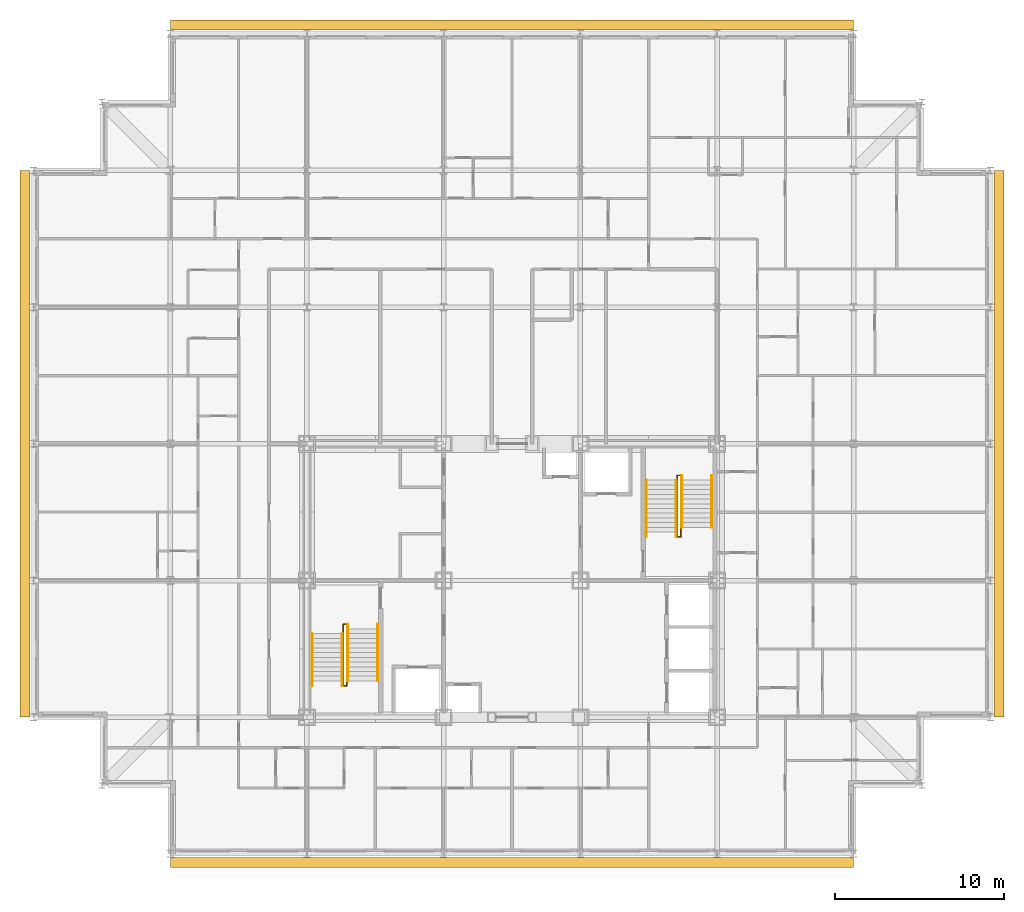
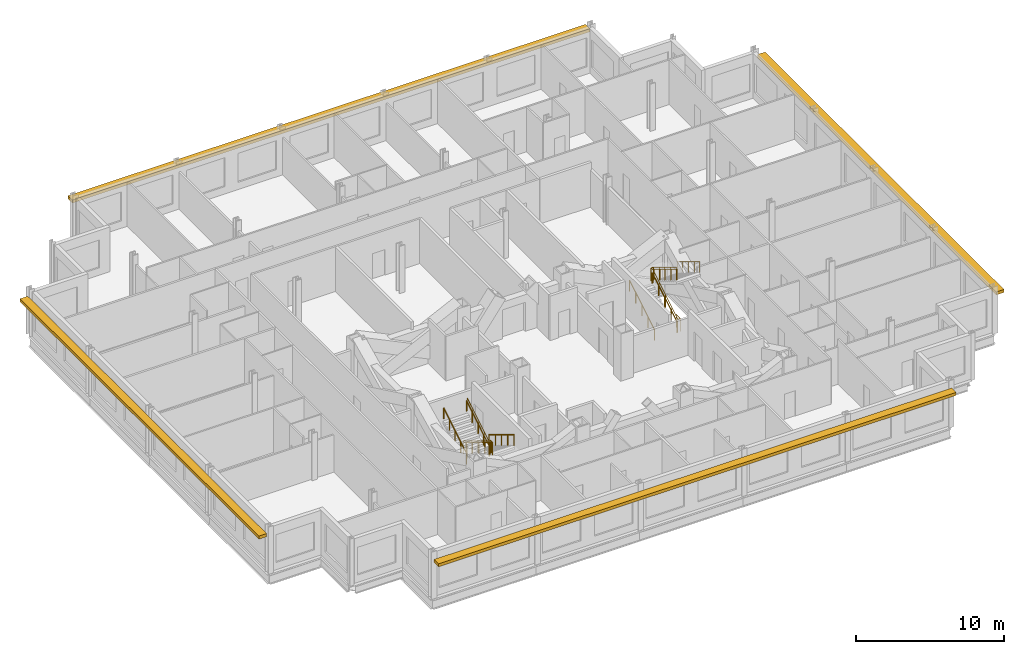
# One storey, part 15 of 15: 10 railings, 4 shading devices.
"""IFC4 building model written with IfcOpenShell, lengths in metres."""

from ifc_helpers import new_model, si_unit, direction, frame, origin, origin_2d, place, context, subcontext, project, spatial, rectangle, circle, extrude, material, type_object, element, save


model = new_model("IFC4")

# Units and contexts
model_context = context("Model", 3, precision=1e-05, world=origin(), true_north=direction((0.0, 1.0)))
body_context = subcontext(model_context, "Body", "Model", "MODEL_VIEW")
ifc_project = project(units=[si_unit("LENGTHUNIT", "METRE"), si_unit("AREAUNIT", "SQUARE_METRE"), si_unit("VOLUMEUNIT", "CUBIC_METRE"), si_unit("PLANEANGLEUNIT", "RADIAN"), si_unit("MASSUNIT", "GRAM", prefix="KILO")], contexts=[model_context])

# Site, building, storey
site_placement = place(None, origin())
site = spatial("IfcSite", under=ifc_project, at=site_placement, CompositionType="ELEMENT")
building_placement = place(site_placement, origin())
building = spatial("IfcBuilding", under=site, at=building_placement, Name="Kopane Lantern Tower", CompositionType="ELEMENT")
storey_placement = place(building_placement, frame((0.0, 0.0, 246.300048828125)))
storey = spatial("IfcBuildingStorey", under=building, at=storey_placement, Name="L63", CompositionType="ELEMENT", Elevation=246.300048828125)

# Railings
ifc_material_1 = material(Name="Steel", Category="steel")
railing_type_1 = type_object("IfcRailingType", Name="STAIR GUARD 1100", PredefinedType="GUARDRAIL", material=ifc_material_1)
railing_1_placement = place(storey_placement, frame((18.35009765625, 29.25, 0.0)))
element("IfcRailing", 1, at=railing_1_placement, inside=storey, type_object=railing_type_1, Name="ST1 well guard L63", PredefinedType="GUARDRAIL", context=body_context, shape_type="SweptSolid", body=[
    extrude(circle(Radius=0.02392578125, at=origin_2d()), frame((0.0, 0.0, 1.076171875), z_axis=(0.0, 1.0, 0.0), x_axis=(-1.0, 0.0, 0.0)), (0.0, 0.0, 1.0), 0.56005859375),
    extrude(circle(Radius=0.02392578125, at=origin_2d()), frame((0.0, 0.56005859375, 1.076171875), z_axis=(1.0, 0.0, 0.0), x_axis=(0.0, 1.0, 0.0)), (0.0, 0.0, 1.0), 0.199951171875),
    extrude(circle(Radius=0.02392578125, at=origin_2d()), frame((0.199951171875, 0.56005859375, 1.076171875), z_axis=(0.0, -0.85539645441, 0.517973846621), x_axis=(1.0, 0.0, 0.0)), (0.0, 0.0, 1.0), 3.92822265625),
    extrude(circle(Radius=0.02392578125, at=origin_2d()), frame((0.199951171875, -2.800048828125, 3.11083984375), z_axis=(0.0, -1.0, 0.0), x_axis=(1.0, 0.0, 0.0)), (0.0, 0.0, 1.0), 0.280029296875),
    extrude(circle(Radius=0.02392578125, at=origin_2d()), frame((0.199951171875, -3.080078125, 3.11083984375), z_axis=(-1.0, 0.0, 0.0), x_axis=(0.0, -1.0, 0.0)), (0.0, 0.0, 1.0), 0.199951171875),
    extrude(circle(Radius=0.02392578125, at=origin_2d()), frame((0.0, -3.080078125, 3.11083984375), z_axis=(0.0, 0.855379917629, 0.518001154937), x_axis=(-1.0, 0.0, 0.0)), (0.0, 0.0, 1.0), 3.600830078125),
    extrude(circle(Radius=0.02099609375, at=origin_2d()), origin(), (0.0, 0.0, 1.0), 1.052001953125),
    extrude(circle(Radius=0.02099609375, at=origin_2d()), frame((0.0, 0.56005859375, 0.0)), (0.0, 0.0, 1.0), 1.052001953125),
    extrude(circle(Radius=0.02099609375, at=origin_2d()), frame((0.199951171875, 0.56005859375, 0.0)), (0.0, 0.0, 1.0), 1.052001953125),
    extrude(circle(Radius=0.02099609375, at=origin_2d()), frame((0.199951171875, -0.280029296875, 0.5087890625)), (0.0, 0.0, 1.0), 1.052001953125),
    extrude(circle(Radius=0.02099609375, at=origin_2d()), frame((0.199951171875, -1.1201171875, 1.017333984375)), (0.0, 0.0, 1.0), 1.052001953125),
    extrude(circle(Radius=0.02099609375, at=origin_2d()), frame((0.199951171875, -1.9599609375, 1.52587890625)), (0.0, 0.0, 1.0), 1.052001953125),
    extrude(circle(Radius=0.02099609375, at=origin_2d()), frame((0.199951171875, -2.800048828125, 2.03466796875)), (0.0, 0.0, 1.0), 1.052001953125),
    extrude(circle(Radius=0.02099609375, at=origin_2d()), frame((0.199951171875, -3.080078125, 2.03466796875)), (0.0, 0.0, 1.0), 1.052001953125),
    extrude(circle(Radius=0.02099609375, at=origin_2d()), frame((0.0, -3.080078125, 2.03466796875)), (0.0, 0.0, 1.0), 1.052001953125),
    extrude(circle(Radius=0.02099609375, at=origin_2d()), frame((0.0, -2.31005859375, 2.5009765625)), (0.0, 0.0, 1.0), 1.052001953125),
    extrude(circle(Radius=0.02099609375, at=origin_2d()), frame((0.0, -1.5400390625, 2.96728515625)), (0.0, 0.0, 1.0), 1.052001953125),
    extrude(circle(Radius=0.02099609375, at=origin_2d()), frame((0.0, -0.77001953125, 3.43359375)), (0.0, 0.0, 1.0), 1.052001953125),
    extrude(circle(Radius=0.02099609375, at=origin_2d()), frame((0.0, 0.0, 3.89990234375)), (0.0, 0.0, 1.0), 1.052001953125),
])
railing_2_placement = place(storey_placement, frame((38.35009765625, 35.550048828125, 0.0)))
element("IfcRailing", 2, at=railing_2_placement, inside=storey, type_object=railing_type_1, Name="ST2 well guard L63", PredefinedType="GUARDRAIL", context=body_context, shape_type="SweptSolid", body=[
    extrude(circle(Radius=0.02392578125, at=origin_2d()), frame((0.0, 0.0, 1.076171875), z_axis=(0.0, -1.0, 0.0), x_axis=(1.0, 0.0, 0.0)), (0.0, 0.0, 1.0), 0.56005859375),
    extrude(circle(Radius=0.02392578125, at=origin_2d()), frame((0.0, -0.56005859375, 1.076171875), z_axis=(-1.0, 0.0, 0.0), x_axis=(0.0, -1.0, 0.0)), (0.0, 0.0, 1.0), 0.2001953125),
    extrude(circle(Radius=0.02392578125, at=origin_2d()), frame((-0.2001953125, -0.56005859375, 1.076171875), z_axis=(0.0, 0.85539645441, 0.517973846621), x_axis=(-1.0, 0.0, 0.0)), (0.0, 0.0, 1.0), 3.92822265625),
    extrude(circle(Radius=0.02392578125, at=origin_2d()), frame((-0.2001953125, 2.800048828125, 3.11083984375), z_axis=(0.0, 1.0, 0.0), x_axis=(-1.0, 0.0, 0.0)), (0.0, 0.0, 1.0), 0.27978515625),
    extrude(circle(Radius=0.02392578125, at=origin_2d()), frame((-0.2001953125, 3.079833984375, 3.11083984375), z_axis=(1.0, 0.0, 0.0), x_axis=(0.0, 1.0, 0.0)), (0.0, 0.0, 1.0), 0.2001953125),
    extrude(circle(Radius=0.02392578125, at=origin_2d()), frame((0.0, 3.079833984375, 3.11083984375), z_axis=(0.0, -0.855361723277, 0.518031198243), x_axis=(1.0, 0.0, 0.0)), (0.0, 0.0, 1.0), 3.6005859375),
    extrude(circle(Radius=0.02099609375, at=origin_2d()), origin(), (0.0, 0.0, 1.0), 1.052001953125),
    extrude(circle(Radius=0.02099609375, at=origin_2d()), frame((0.0, -0.56005859375, 0.0)), (0.0, 0.0, 1.0), 1.052001953125),
    extrude(circle(Radius=0.02099609375, at=origin_2d()), frame((-0.2001953125, -0.56005859375, 0.0)), (0.0, 0.0, 1.0), 1.052001953125),
    extrude(circle(Radius=0.02099609375, at=origin_2d()), frame((-0.2001953125, 0.280029296875, 0.5087890625)), (0.0, 0.0, 1.0), 1.052001953125),
    extrude(circle(Radius=0.02099609375, at=origin_2d()), frame((-0.2001953125, 1.1201171875, 1.017333984375)), (0.0, 0.0, 1.0), 1.052001953125),
    extrude(circle(Radius=0.02099609375, at=origin_2d()), frame((-0.2001953125, 1.9599609375, 1.52587890625)), (0.0, 0.0, 1.0), 1.052001953125),
    extrude(circle(Radius=0.02099609375, at=origin_2d()), frame((-0.2001953125, 2.800048828125, 2.03466796875)), (0.0, 0.0, 1.0), 1.052001953125),
    extrude(circle(Radius=0.02099609375, at=origin_2d()), frame((-0.2001953125, 3.079833984375, 2.03466796875)), (0.0, 0.0, 1.0), 1.052001953125),
    extrude(circle(Radius=0.02099609375, at=origin_2d()), frame((0.0, 3.079833984375, 2.03466796875)), (0.0, 0.0, 1.0), 1.052001953125),
    extrude(circle(Radius=0.02099609375, at=origin_2d()), frame((0.0, 2.309814453125, 2.5009765625)), (0.0, 0.0, 1.0), 1.052001953125),
    extrude(circle(Radius=0.02099609375, at=origin_2d()), frame((0.0, 1.5400390625, 2.96728515625)), (0.0, 0.0, 1.0), 1.052001953125),
    extrude(circle(Radius=0.02099609375, at=origin_2d()), frame((0.0, 0.77001953125, 3.43359375)), (0.0, 0.0, 1.0), 1.052001953125),
    extrude(circle(Radius=0.02099609375, at=origin_2d()), frame((0.0, 0.0, 3.89990234375)), (0.0, 0.0, 1.0), 1.052001953125),
])
ifc_material_2 = material(Name="Steel", Category="steel")
railing_type_2 = type_object("IfcRailingType", Name="STAIR HANDRAIL 900", PredefinedType="HANDRAIL", material=ifc_material_2)
for number, where, name in (
    (3, (20.389892578125, 29.81005859375, 0.0), "ST1 handrail L63 flight 1"),
    (4, (18.610107421875, 29.81005859375, 0.0), "ST1 handrail L63 flight 1"),
):
    element("IfcRailing", number, at=place(storey_placement, frame(where)), inside=storey, type_object=railing_type_2, Name=name, PredefinedType="HANDRAIL", context=body_context, shape_type="SweptSolid", body=[
        extrude(circle(Radius=0.02392578125, at=origin_2d()), frame((0.0, 0.0, 0.8759765625), z_axis=(0.0, -0.85539645441, 0.517973846621), x_axis=(1.0, 0.0, 0.0)), (0.0, 0.0, 1.0), 3.92822265625),
        extrude(circle(Radius=0.02099609375, at=origin_2d()), origin(), (0.0, 0.0, 1.0), 0.851806640625),
        extrude(circle(Radius=0.02099609375, at=origin_2d()), frame((0.0, -0.840087890625, 0.5087890625)), (0.0, 0.0, 1.0), 0.851806640625),
        extrude(circle(Radius=0.02099609375, at=origin_2d()), frame((0.0, -1.68017578125, 1.017333984375)), (0.0, 0.0, 1.0), 0.851806640625),
        extrude(circle(Radius=0.02099609375, at=origin_2d()), frame((0.0, -2.52001953125, 1.52587890625)), (0.0, 0.0, 1.0), 0.851806640625),
        extrude(circle(Radius=0.02099609375, at=origin_2d()), frame((0.0, -3.360107421875, 2.03466796875)), (0.0, 0.0, 1.0), 0.851806640625),
    ])
for number, where, name in (
    (5, (16.510009765625, 26.169921875, 2.03466796875), "ST1 handrail L63 flight 2"),
    (6, (18.2900390625, 26.169921875, 2.03466796875), "ST1 handrail L63 flight 2"),
):
    element("IfcRailing", number, at=place(storey_placement, frame(where)), inside=storey, type_object=railing_type_2, Name=name, PredefinedType="HANDRAIL", context=body_context, shape_type="SweptSolid", body=[
        extrude(circle(Radius=0.02392578125, at=origin_2d()), frame((0.0, 0.0, 0.8759765625), z_axis=(0.0, 0.855379917629, 0.518001154937), x_axis=(-1.0, 0.0, 0.0)), (0.0, 0.0, 1.0), 3.600830078125),
        extrude(circle(Radius=0.02099609375, at=origin_2d()), origin(), (0.0, 0.0, 1.0), 0.851806640625),
        extrude(circle(Radius=0.02099609375, at=origin_2d()), frame((0.0, 0.77001953125, 0.46630859375)), (0.0, 0.0, 1.0), 0.851806640625),
        extrude(circle(Radius=0.02099609375, at=origin_2d()), frame((0.0, 1.5400390625, 0.9326171875)), (0.0, 0.0, 1.0), 0.851806640625),
        extrude(circle(Radius=0.02099609375, at=origin_2d()), frame((0.0, 2.31005859375, 1.39892578125)), (0.0, 0.0, 1.0), 0.851806640625),
        extrude(circle(Radius=0.02099609375, at=origin_2d()), frame((0.0, 3.080078125, 1.865234375)), (0.0, 0.0, 1.0), 0.851806640625),
    ])
for number, where, name in (
    (7, (36.31005859375, 34.989990234375, 0.0), "ST2 handrail L63 flight 1"),
    (8, (38.090087890625, 34.989990234375, 0.0), "ST2 handrail L63 flight 1"),
):
    element("IfcRailing", number, at=place(storey_placement, frame(where)), inside=storey, type_object=railing_type_2, Name=name, PredefinedType="HANDRAIL", context=body_context, shape_type="SweptSolid", body=[
        extrude(circle(Radius=0.02392578125, at=origin_2d()), frame((0.0, 0.0, 0.8759765625), z_axis=(0.0, 0.85539645441, 0.517973846621), x_axis=(-1.0, 0.0, 0.0)), (0.0, 0.0, 1.0), 3.92822265625),
        extrude(circle(Radius=0.02099609375, at=origin_2d()), origin(), (0.0, 0.0, 1.0), 0.851806640625),
        extrude(circle(Radius=0.02099609375, at=origin_2d()), frame((0.0, 0.840087890625, 0.5087890625)), (0.0, 0.0, 1.0), 0.851806640625),
        extrude(circle(Radius=0.02099609375, at=origin_2d()), frame((0.0, 1.68017578125, 1.017333984375)), (0.0, 0.0, 1.0), 0.851806640625),
        extrude(circle(Radius=0.02099609375, at=origin_2d()), frame((0.0, 2.52001953125, 1.52587890625)), (0.0, 0.0, 1.0), 0.851806640625),
        extrude(circle(Radius=0.02099609375, at=origin_2d()), frame((0.0, 3.360107421875, 2.03466796875)), (0.0, 0.0, 1.0), 0.851806640625),
    ])
for number, where, name in (
    (9, (40.18994140625, 38.6298828125, 2.03466796875), "ST2 handrail L63 flight 2"),
    (10, (38.409912109375, 38.6298828125, 2.03466796875), "ST2 handrail L63 flight 2"),
):
    element("IfcRailing", number, at=place(storey_placement, frame(where)), inside=storey, type_object=railing_type_2, Name=name, PredefinedType="HANDRAIL", context=body_context, shape_type="SweptSolid", body=[
        extrude(circle(Radius=0.02392578125, at=origin_2d()), frame((0.0, 0.0, 0.8759765625), z_axis=(0.0, -0.855361723277, 0.518031198243), x_axis=(1.0, 0.0, 0.0)), (0.0, 0.0, 1.0), 3.6005859375),
        extrude(circle(Radius=0.02099609375, at=origin_2d()), origin(), (0.0, 0.0, 1.0), 0.851806640625),
        extrude(circle(Radius=0.02099609375, at=origin_2d()), frame((0.0, -0.77001953125, 0.46630859375)), (0.0, 0.0, 1.0), 0.851806640625),
        extrude(circle(Radius=0.02099609375, at=origin_2d()), frame((0.0, -1.5400390625, 0.9326171875)), (0.0, 0.0, 1.0), 0.851806640625),
        extrude(circle(Radius=0.02099609375, at=origin_2d()), frame((0.0, -2.309814453125, 1.39892578125)), (0.0, 0.0, 1.0), 0.851806640625),
        extrude(circle(Radius=0.02099609375, at=origin_2d()), frame((0.0, -3.079833984375, 1.865234375)), (0.0, 0.0, 1.0), 0.851806640625),
    ])

# Shading devices
ifc_material_3 = material(Name="Terracotta rainscreen on light steel framing", Category="masonry")
shading_device_type = type_object("IfcShadingDeviceType", Name="SUNSHADE BAND SB1 600 TERRACOTTA", PredefinedType="USERDEFINED", material=ifc_material_3)
shading_device_1_placement = place(storey_placement, frame((28.35009765625, 15.681640625, 3.0), z_axis=(0.0, 0.0, 1.0), x_axis=(1.0, 0.0, 0.0)))
element("IfcShadingDevice", 11, at=shading_device_1_placement, inside=storey, type_object=shading_device_type, Name="Sunshade band S L63", ObjectType="SUNSHADE BAND", PredefinedType="USERDEFINED", context=body_context, shape_type="SweptSolid", body=[
    extrude(rectangle(XDim=40.5, YDim=0.60009765625, at=origin_2d()), origin(), (0.0, 0.0, 1.0), 0.25),
])
shading_device_2_placement = place(storey_placement, frame((57.2060546875, 40.5, 3.0), z_axis=(0.0, 0.0, 1.0), x_axis=(0.0, 1.0, 0.0)))
element("IfcShadingDevice", 12, at=shading_device_2_placement, inside=storey, type_object=shading_device_type, Name="Sunshade band E L63", ObjectType="SUNSHADE BAND", PredefinedType="USERDEFINED", context=body_context, shape_type="SweptSolid", body=[
    extrude(rectangle(XDim=32.39990234375, YDim=0.60009765625, at=origin_2d()), origin(), (0.0, 0.0, 1.0), 0.25),
])
shading_device_3_placement = place(storey_placement, frame((28.35009765625, 65.318359375, 3.0), z_axis=(0.0, 0.0, 1.0), x_axis=(-1.0, 0.0, 0.0)))
element("IfcShadingDevice", 13, at=shading_device_3_placement, inside=storey, type_object=shading_device_type, Name="Sunshade band N L63", ObjectType="SUNSHADE BAND", PredefinedType="USERDEFINED", context=body_context, shape_type="SweptSolid", body=[
    extrude(rectangle(XDim=40.5, YDim=0.60009765625, at=origin_2d()), origin(), (0.0, 0.0, 1.0), 0.25),
])
shading_device_4_placement = place(storey_placement, frame((-0.506103515625, 40.5, 3.0), z_axis=(0.0, 0.0, 1.0), x_axis=(0.0, -1.0, 0.0)))
element("IfcShadingDevice", 14, at=shading_device_4_placement, inside=storey, type_object=shading_device_type, Name="Sunshade band W L63", ObjectType="SUNSHADE BAND", PredefinedType="USERDEFINED", context=body_context, shape_type="SweptSolid", body=[
    extrude(rectangle(XDim=32.39990234375, YDim=0.60009765625, at=origin_2d()), origin(), (0.0, 0.0, 1.0), 0.25),
])

save(model, "model.ifc")
